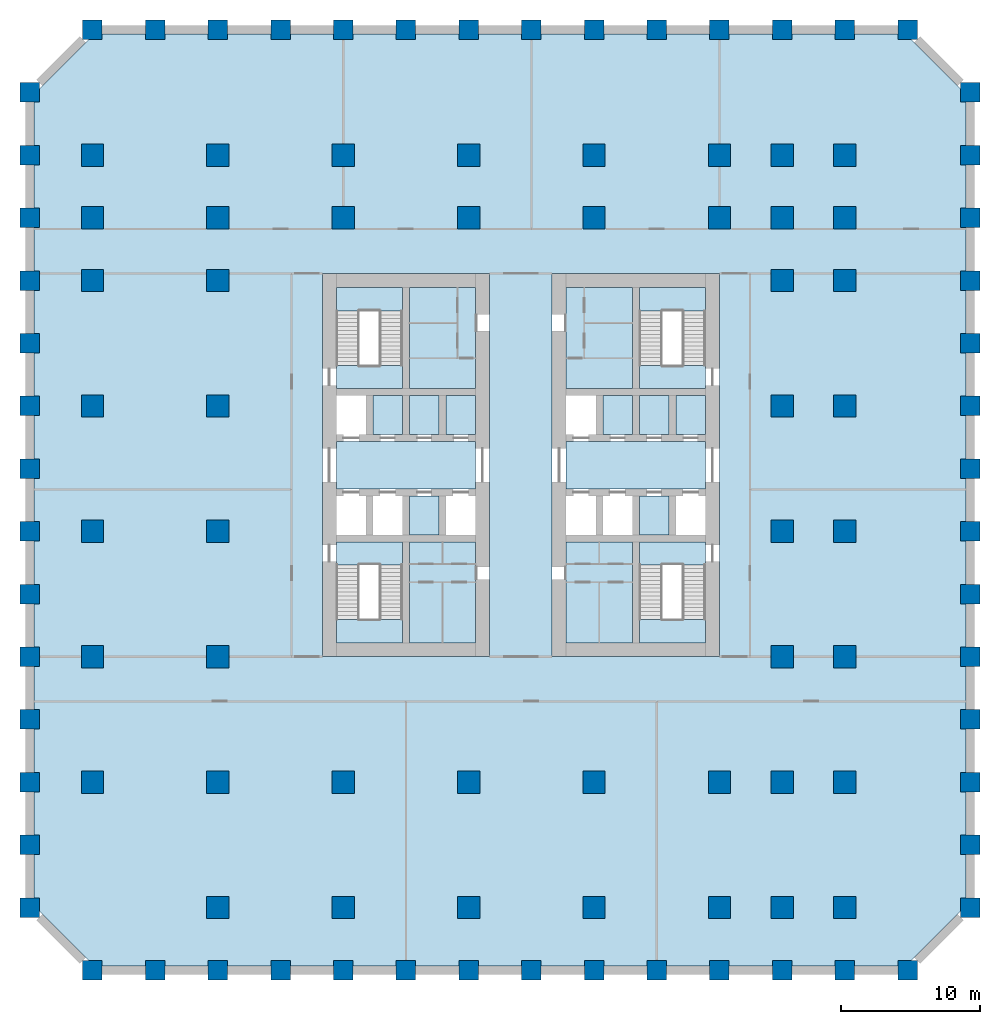
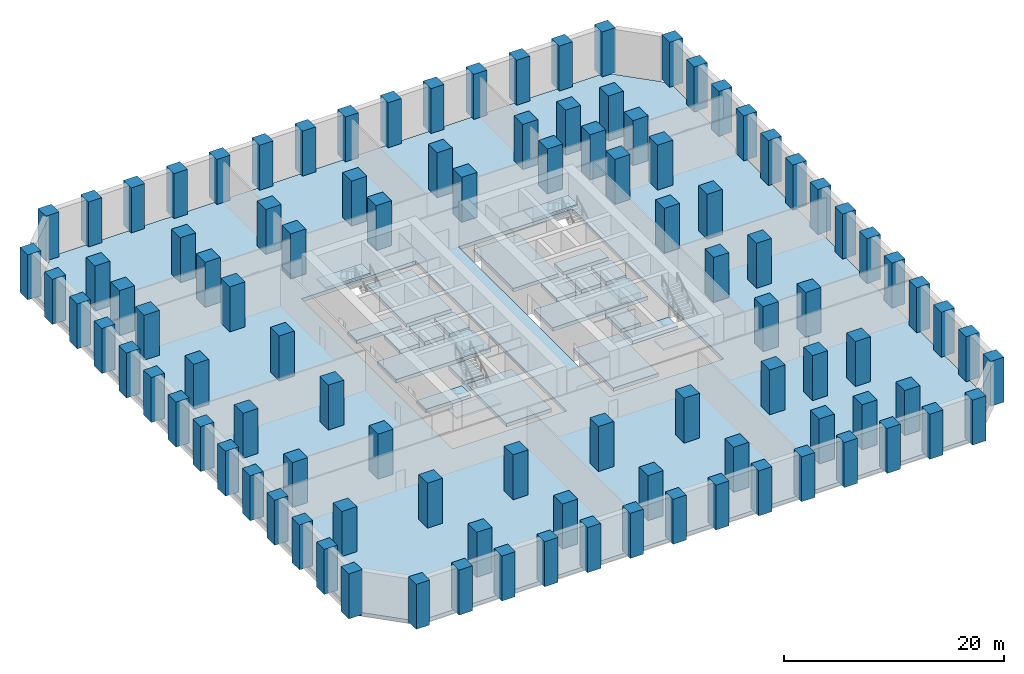
# One storey, part 1 of 7: 103 columns, 25 slabs, 4 elements without a shape of their own.
"""IFC4 building model written with IfcOpenShell, lengths in metres."""

from ifc_helpers import new_model, si_unit, direction, frame, origin, origin_2d, place, context, subcontext, project, spatial, polyline, rectangle, outline, extrude, material, layer, layer_set, material_profile, profile_set, type_object, element, aggregate, save


model = new_model("IFC4")

# Units and contexts
model_context = context("Model", 3, precision=1e-05, world=origin(), true_north=direction((0.0, 1.0)))
body_context = subcontext(model_context, "Body", "Model", "MODEL_VIEW")
ifc_project = project(units=[si_unit("LENGTHUNIT", "METRE"), si_unit("AREAUNIT", "SQUARE_METRE"), si_unit("VOLUMEUNIT", "CUBIC_METRE"), si_unit("PLANEANGLEUNIT", "RADIAN"), si_unit("MASSUNIT", "GRAM", prefix="KILO")], contexts=[model_context])

# Site, building, storey
site_placement = place(None, origin())
site = spatial("IfcSite", under=ifc_project, at=site_placement, CompositionType="ELEMENT")
building_placement = place(site_placement, origin())
building = spatial("IfcBuilding", under=site, at=building_placement, Name="Corbel Stack Research Tower", CompositionType="ELEMENT")
storey_placement = place(building_placement, frame((0.0, 0.0, -5.0)))
storey = spatial("IfcBuildingStorey", under=building, at=storey_placement, Name="B1", CompositionType="ELEMENT", Elevation=-5.0)

# Columns
ifc_material_1 = material(Name="Concrete C70/85", Category="concrete")
ifc_material_profile_1 = material_profile(ifc_material_1, rectangle(XDim=1.39990234375, YDim=1.39990234375, at=origin_2d()), Name="RC 1400 x 1400")
ifc_profile_set_1 = profile_set([ifc_material_profile_1], Name="Concrete C70/85")
column_type_1 = type_object("IfcColumnType", Name="C-1400-70", PredefinedType="COLUMN", material=ifc_profile_set_1)
for number, where, z_axis, x_axis, name in (
    (1, (-31.5, -27.0, 0.0), (0.0, 0.0, 1.0), (1.0, 0.0, 0.0), "Column 1/B B1"),
    (2, (-31.5, -22.5, 0.0), (0.0, 0.0, 1.0), (1.0, 0.0, 0.0), "Column 1/C B1"),
    (3, (-31.5, -18.0, 0.0), (0.0, 0.0, 1.0), (1.0, 0.0, 0.0), "Column 1/D B1"),
    (4, (-31.5, -13.5, 0.0), (0.0, 0.0, 1.0), (1.0, 0.0, 0.0), "Column 1/E B1"),
    (5, (-31.5, -9.0, 0.0), (0.0, 0.0, 1.0), (1.0, 0.0, 0.0), "Column 1/F B1"),
    (6, (-31.5, -4.5, 0.0), (0.0, 0.0, 1.0), (1.0, 0.0, 0.0), "Column 1/G B1"),
    (7, (-31.5, 0.0, 0.0), (0.0, 0.0, 1.0), (1.0, 0.0, 0.0), "Column 1/H B1"),
    (8, (-31.5, 4.5, 0.0), (0.0, 0.0, 1.0), (1.0, 0.0, 0.0), "Column 1/J B1"),
    (9, (-31.5, 9.0, 0.0), (0.0, 0.0, 1.0), (1.0, 0.0, 0.0), "Column 1/K B1"),
    (10, (-31.5, 13.5, 0.0), (0.0, 0.0, 1.0), (1.0, 0.0, 0.0), "Column 1/L B1"),
    (11, (-31.5, 18.0, 0.0), (0.0, 0.0, 1.0), (1.0, 0.0, 0.0), "Column 1/M B1"),
    (12, (-31.5, 22.5, 0.0), (0.0, 0.0, 1.0), (1.0, 0.0, 0.0), "Column 1/N B1"),
    (13, (-31.5, 27.0, 0.0), (0.0, 0.0, 1.0), (1.0, 0.0, 0.0), "Column 1/P B1"),
    (14, (-31.5, 31.5, 0.0), (0.0, 0.0, 1.0), (1.0, 0.0, 0.0), "Column 1/Q B1"),
    (15, (-27.0, -31.5, 0.0), (0.0, 0.0, 1.0), (1.0, 0.0, 0.0), "Column 2/A B1"),
    (16, (-27.0, 36.0, 0.0), (0.0, 0.0, 1.0), (1.0, 0.0, 0.0), "Column 2/R B1"),
    (17, (-22.5, -31.5, 0.0), (0.0, 0.0, 1.0), (1.0, 0.0, 0.0), "Column 3/A B1"),
    (18, (-22.5, 36.0, 0.0), (0.0, 0.0, 1.0), (1.0, 0.0, 0.0), "Column 3/R B1"),
    (19, (-18.0, -31.5, 0.0), (0.0, 0.0, 1.0), (1.0, 0.0, 0.0), "Column 4/A B1"),
    (20, (-18.0, 36.0, 0.0), (0.0, 0.0, 1.0), (1.0, 0.0, 0.0), "Column 4/R B1"),
    (21, (-13.5, -31.5, 0.0), (0.0, 0.0, 1.0), (1.0, 0.0, 0.0), "Column 5/A B1"),
    (22, (-13.5, 36.0, 0.0), (0.0, 0.0, 1.0), (1.0, 0.0, 0.0), "Column 5/R B1"),
    (23, (-9.0, -31.5, 0.0), (0.0, 0.0, 1.0), (1.0, 0.0, 0.0), "Column 6/A B1"),
    (24, (-9.0, 36.0, 0.0), (0.0, 0.0, 1.0), (1.0, 0.0, 0.0), "Column 6/R B1"),
    (25, (-4.5, -31.5, 0.0), (0.0, 0.0, 1.0), (1.0, 0.0, 0.0), "Column 7/A B1"),
    (26, (-4.5, 36.0, 0.0), (0.0, 0.0, 1.0), (1.0, 0.0, 0.0), "Column 7/R B1"),
    (27, (0.0, -31.5, 0.0), (0.0, 0.0, 1.0), (1.0, 0.0, 0.0), "Column 8/A B1"),
    (28, (0.0, 36.0, 0.0), (0.0, 0.0, 1.0), (1.0, 0.0, 0.0), "Column 8/R B1"),
    (29, (4.5, -31.5, 0.0), (0.0, 0.0, 1.0), (1.0, 0.0, 0.0), "Column 9/A B1"),
    (30, (4.5, 36.0, 0.0), (0.0, 0.0, 1.0), (1.0, 0.0, 0.0), "Column 9/R B1"),
    (31, (9.0, -31.5, 0.0), (0.0, 0.0, 1.0), (1.0, 0.0, 0.0), "Column 10/A B1"),
    (32, (9.0, 36.0, 0.0), (0.0, 0.0, 1.0), (1.0, 0.0, 0.0), "Column 10/R B1"),
    (33, (13.5, -31.5, 0.0), (0.0, 0.0, 1.0), (1.0, 0.0, 0.0), "Column 11/A B1"),
    (34, (13.5, 36.0, 0.0), (0.0, 0.0, 1.0), (1.0, 0.0, 0.0), "Column 11/R B1"),
    (35, (18.0, -31.5, 0.0), (0.0, 0.0, 1.0), (1.0, 0.0, 0.0), "Column 12/A B1"),
    (36, (18.0, 36.0, 0.0), (0.0, 0.0, 1.0), (1.0, 0.0, 0.0), "Column 12/R B1"),
    (37, (22.5, -31.5, 0.0), (0.0, 0.0, 1.0), (1.0, 0.0, 0.0), "Column 13/A B1"),
    (38, (22.5, 36.0, 0.0), (0.0, 0.0, 1.0), (1.0, 0.0, 0.0), "Column 13/R B1"),
    (39, (27.0, -31.5, 0.0), (0.0, 0.0, 1.0), (1.0, 0.0, 0.0), "Column 14/A B1"),
    (40, (27.0, 36.0, 0.0), (0.0, 0.0, 1.0), (1.0, 0.0, 0.0), "Column 14/R B1"),
    (41, (31.5, -31.5, 0.0), (0.0, 0.0, 1.0), (1.0, 0.0, 0.0), "Column 15/A B1"),
    (42, (31.5, 36.0, 0.0), (0.0, 0.0, 1.0), (1.0, 0.0, 0.0), "Column 15/R B1"),
    (43, (36.0, -27.0, 0.0), (0.0, 0.0, 1.0), (1.0, 0.0, 0.0), "Column 16/B B1"),
    (44, (36.0, -22.5, 0.0), (0.0, 0.0, 1.0), (1.0, 0.0, 0.0), "Column 16/C B1"),
    (45, (36.0, -18.0, 0.0), (0.0, 0.0, 1.0), (1.0, 0.0, 0.0), "Column 16/D B1"),
    (46, (36.0, -13.5, 0.0), (0.0, 0.0, 1.0), (1.0, 0.0, 0.0), "Column 16/E B1"),
    (47, (36.0, -9.0, 0.0), (0.0, 0.0, 1.0), (1.0, 0.0, 0.0), "Column 16/F B1"),
    (48, (36.0, -4.5, 0.0), (0.0, 0.0, 1.0), (1.0, 0.0, 0.0), "Column 16/G B1"),
    (49, (36.0, 0.0, 0.0), (0.0, 0.0, 1.0), (1.0, 0.0, 0.0), "Column 16/H B1"),
    (50, (36.0, 4.5, 0.0), (0.0, 0.0, 1.0), (1.0, 0.0, 0.0), "Column 16/J B1"),
    (51, (36.0, 9.0, 0.0), (0.0, 0.0, 1.0), (1.0, 0.0, 0.0), "Column 16/K B1"),
    (52, (36.0, 13.5, 0.0), (0.0, 0.0, 1.0), (1.0, 0.0, 0.0), "Column 16/L B1"),
    (53, (36.0, 18.0, 0.0), (0.0, 0.0, 1.0), (1.0, 0.0, 0.0), "Column 16/M B1"),
    (54, (36.0, 22.5, 0.0), (0.0, 0.0, 1.0), (1.0, 0.0, 0.0), "Column 16/N B1"),
    (55, (36.0, 27.0, 0.0), (0.0, 0.0, 1.0), (1.0, 0.0, 0.0), "Column 16/P B1"),
    (56, (36.0, 31.5, 0.0), (0.0, 0.0, 1.0), (1.0, 0.0, 0.0), "Column 16/Q B1"),
):
    element("IfcColumn", number, at=place(storey_placement, frame(where, z_axis=z_axis, x_axis=x_axis)), inside=storey, type_object=column_type_1, Name=name, PredefinedType="COLUMN", context=body_context, shape_type="SweptSolid", body=[
        extrude(rectangle(XDim=1.39990234375, YDim=1.39990234375, at=origin_2d()), origin(), (0.0, 0.0, 1.0), 5.0),
    ])
ifc_material_2 = material(Name="Concrete C70/85", Category="concrete")
ifc_material_profile_2 = material_profile(ifc_material_2, rectangle(XDim=1.60009765625, YDim=1.60009765625, at=origin_2d()), Name="RC 1600 x 1600")
ifc_profile_set_2 = profile_set([ifc_material_profile_2], Name="Concrete C70/85")
column_type_2 = type_object("IfcColumnType", Name="C-1600-70", PredefinedType="COLUMN", material=ifc_profile_set_2)
for number, where, z_axis, x_axis, name in (
    (57, (-27.0, -18.0, 0.0), (0.0, 0.0, 1.0), (1.0, 0.0, 0.0), "Column 2/D B1"),
    (58, (-27.0, -9.0, 0.0), (0.0, 0.0, 1.0), (1.0, 0.0, 0.0), "Column 2/F B1"),
    (59, (-27.0, 0.0, 0.0), (0.0, 0.0, 1.0), (1.0, 0.0, 0.0), "Column 2/H B1"),
    (60, (-27.0, 9.0, 0.0), (0.0, 0.0, 1.0), (1.0, 0.0, 0.0), "Column 2/K B1"),
    (61, (-27.0, 18.0, 0.0), (0.0, 0.0, 1.0), (1.0, 0.0, 0.0), "Column 2/M B1"),
    (62, (-27.0, 22.5, 0.0), (0.0, 0.0, 1.0), (1.0, 0.0, 0.0), "Column 2/N B1"),
    (63, (-27.0, 27.0, 0.0), (0.0, 0.0, 1.0), (1.0, 0.0, 0.0), "Column 2/P B1"),
    (64, (-18.0, -27.0, 0.0), (0.0, 0.0, 1.0), (1.0, 0.0, 0.0), "Column 4/B B1"),
    (65, (-18.0, -18.0, 0.0), (0.0, 0.0, 1.0), (1.0, 0.0, 0.0), "Column 4/D B1"),
    (66, (-18.0, -9.0, 0.0), (0.0, 0.0, 1.0), (1.0, 0.0, 0.0), "Column 4/F B1"),
    (67, (-18.0, 0.0, 0.0), (0.0, 0.0, 1.0), (1.0, 0.0, 0.0), "Column 4/H B1"),
    (68, (-18.0, 9.0, 0.0), (0.0, 0.0, 1.0), (1.0, 0.0, 0.0), "Column 4/K B1"),
    (69, (-18.0, 18.0, 0.0), (0.0, 0.0, 1.0), (1.0, 0.0, 0.0), "Column 4/M B1"),
    (70, (-18.0, 22.5, 0.0), (0.0, 0.0, 1.0), (1.0, 0.0, 0.0), "Column 4/N B1"),
    (71, (-18.0, 27.0, 0.0), (0.0, 0.0, 1.0), (1.0, 0.0, 0.0), "Column 4/P B1"),
    (72, (-9.0, -27.0, 0.0), (0.0, 0.0, 1.0), (1.0, 0.0, 0.0), "Column 6/B B1"),
    (73, (-9.0, -18.0, 0.0), (0.0, 0.0, 1.0), (1.0, 0.0, 0.0), "Column 6/D B1"),
    (74, (-9.0, 22.5, 0.0), (0.0, 0.0, 1.0), (1.0, 0.0, 0.0), "Column 6/N B1"),
    (75, (-9.0, 27.0, 0.0), (0.0, 0.0, 1.0), (1.0, 0.0, 0.0), "Column 6/P B1"),
    (76, (0.0, -27.0, 0.0), (0.0, 0.0, 1.0), (1.0, 0.0, 0.0), "Column 8/B B1"),
    (77, (0.0, -18.0, 0.0), (0.0, 0.0, 1.0), (1.0, 0.0, 0.0), "Column 8/D B1"),
    (78, (0.0, 22.5, 0.0), (0.0, 0.0, 1.0), (1.0, 0.0, 0.0), "Column 8/N B1"),
    (79, (0.0, 27.0, 0.0), (0.0, 0.0, 1.0), (1.0, 0.0, 0.0), "Column 8/P B1"),
    (80, (9.0, -27.0, 0.0), (0.0, 0.0, 1.0), (1.0, 0.0, 0.0), "Column 10/B B1"),
    (81, (9.0, -18.0, 0.0), (0.0, 0.0, 1.0), (1.0, 0.0, 0.0), "Column 10/D B1"),
    (82, (9.0, 22.5, 0.0), (0.0, 0.0, 1.0), (1.0, 0.0, 0.0), "Column 10/N B1"),
    (83, (9.0, 27.0, 0.0), (0.0, 0.0, 1.0), (1.0, 0.0, 0.0), "Column 10/P B1"),
    (84, (18.0, -27.0, 0.0), (0.0, 0.0, 1.0), (1.0, 0.0, 0.0), "Column 12/B B1"),
    (85, (18.0, -18.0, 0.0), (0.0, 0.0, 1.0), (1.0, 0.0, 0.0), "Column 12/D B1"),
    (86, (18.0, 22.5, 0.0), (0.0, 0.0, 1.0), (1.0, 0.0, 0.0), "Column 12/N B1"),
    (87, (18.0, 27.0, 0.0), (0.0, 0.0, 1.0), (1.0, 0.0, 0.0), "Column 12/P B1"),
    (88, (22.5, -27.0, 0.0), (0.0, 0.0, 1.0), (1.0, 0.0, 0.0), "Column 13/B B1"),
    (89, (22.5, -18.0, 0.0), (0.0, 0.0, 1.0), (1.0, 0.0, 0.0), "Column 13/D B1"),
    (90, (22.5, -9.0, 0.0), (0.0, 0.0, 1.0), (1.0, 0.0, 0.0), "Column 13/F B1"),
    (91, (22.5, 0.0, 0.0), (0.0, 0.0, 1.0), (1.0, 0.0, 0.0), "Column 13/H B1"),
    (92, (22.5, 9.0, 0.0), (0.0, 0.0, 1.0), (1.0, 0.0, 0.0), "Column 13/K B1"),
    (93, (22.5, 18.0, 0.0), (0.0, 0.0, 1.0), (1.0, 0.0, 0.0), "Column 13/M B1"),
    (94, (22.5, 22.5, 0.0), (0.0, 0.0, 1.0), (1.0, 0.0, 0.0), "Column 13/N B1"),
    (95, (22.5, 27.0, 0.0), (0.0, 0.0, 1.0), (1.0, 0.0, 0.0), "Column 13/P B1"),
    (96, (27.0, -27.0, 0.0), (0.0, 0.0, 1.0), (1.0, 0.0, 0.0), "Column 14/B B1"),
    (97, (27.0, -18.0, 0.0), (0.0, 0.0, 1.0), (1.0, 0.0, 0.0), "Column 14/D B1"),
    (98, (27.0, -9.0, 0.0), (0.0, 0.0, 1.0), (1.0, 0.0, 0.0), "Column 14/F B1"),
    (99, (27.0, 0.0, 0.0), (0.0, 0.0, 1.0), (1.0, 0.0, 0.0), "Column 14/H B1"),
    (100, (27.0, 9.0, 0.0), (0.0, 0.0, 1.0), (1.0, 0.0, 0.0), "Column 14/K B1"),
    (101, (27.0, 18.0, 0.0), (0.0, 0.0, 1.0), (1.0, 0.0, 0.0), "Column 14/M B1"),
    (102, (27.0, 22.5, 0.0), (0.0, 0.0, 1.0), (1.0, 0.0, 0.0), "Column 14/N B1"),
    (103, (27.0, 27.0, 0.0), (0.0, 0.0, 1.0), (1.0, 0.0, 0.0), "Column 14/P B1"),
):
    element("IfcColumn", number, at=place(storey_placement, frame(where, z_axis=z_axis, x_axis=x_axis)), inside=storey, type_object=column_type_2, Name=name, PredefinedType="COLUMN", context=body_context, shape_type="SweptSolid", body=[
        extrude(rectangle(XDim=1.60009765625, YDim=1.60009765625, at=origin_2d()), origin(), (0.0, 0.0, 1.0), 5.0),
    ])

# Slabs
ifc_material_3 = material(Name="Concrete C45/55", Category="concrete")
ifc_layer_1 = layer(ifc_material_3, 0.60009765625)
ifc_layer_set_1 = layer_set([ifc_layer_1], Name="Concrete C45/55")
slab_type_1 = type_object("IfcSlabType", Name="PS-600", PredefinedType="FLOOR", material=ifc_layer_set_1)
slab_1_placement = place(storey_placement, frame((0.0, 0.0, 2.800048828125)))
element("IfcSlab", 104, at=slab_1_placement, inside=storey, type_object=slab_type_1, Name="Lift pit slab SH1", PredefinedType="FLOOR", context=body_context, shape_type="SweptSolid", body=[
    extrude(outline(polyline([(-4.25, 2.550048828125), (-4.25, -0.25), (-2.125, -0.25), (-2.125, 2.550048828125), (-4.25, 2.550048828125)])), origin(), (0.0, 0.0, 1.0), 0.599853515625),
])
slab_2_placement = place(storey_placement, frame((0.0, 0.0, 2.800048828125)))
element("IfcSlab", 105, at=slab_2_placement, inside=storey, type_object=slab_type_1, Name="Lift pit slab SH2", PredefinedType="FLOOR", context=body_context, shape_type="SweptSolid", body=[
    extrude(outline(polyline([(12.25, 2.550048828125), (12.25, -0.25), (14.375, -0.25), (14.375, 2.550048828125), (12.25, 2.550048828125)])), origin(), (0.0, 0.0, 1.0), 0.599853515625),
])
ifc_material_4 = material(Name="Concrete C45/55", Category="concrete")
ifc_layer_2 = layer(ifc_material_4, 0.39990234375)
ifc_layer_set_2 = layer_set([ifc_layer_2], Name="Concrete C45/55")
slab_type_2 = type_object("IfcSlabType", Name="PT-400", PredefinedType="FLOOR", material=ifc_layer_set_2)
slab_3_placement = place(storey_placement, frame((0.0, 0.0, -0.39990234375)))
element("IfcSlab", 106, at=slab_3_placement, inside=storey, type_object=slab_type_2, Name="Floor slab B1", PredefinedType="FLOOR", context=body_context, shape_type="SweptSolid", body=[
    extrude(outline(polyline([(-26.875732421875, -31.199951171875), (31.375732421875, -31.199951171875), (35.699951171875, -26.875732421875), (35.699951171875, 31.375732421875), (31.375732421875, 35.699951171875), (-26.875732421875, 35.699951171875), (-31.199951171875, 31.375732421875), (-31.199951171875, -26.875732421875), (-26.875732421875, -31.199951171875)]), holes=[polyline([(26.199951171875, 8.199951171875), (26.199951171875, 9.800048828125), (27.800048828125, 9.800048828125), (27.800048828125, 8.199951171875), (26.199951171875, 8.199951171875)]), polyline([(26.199951171875, -26.199951171875), (27.800048828125, -26.199951171875), (27.800048828125, -27.800048828125), (26.199951171875, -27.800048828125), (26.199951171875, -26.199951171875)]), polyline([(26.199951171875, -8.199951171875), (27.800048828125, -8.199951171875), (27.800048828125, -9.800048828125), (26.199951171875, -9.800048828125), (26.199951171875, -8.199951171875)]), polyline([(26.199951171875, 0.800048828125), (27.800048828125, 0.800048828125), (27.800048828125, -0.800048828125), (26.199951171875, -0.800048828125), (26.199951171875, 0.800048828125)]), polyline([(26.199951171875, 23.300048828125), (27.800048828125, 23.300048828125), (27.800048828125, 21.699951171875), (26.199951171875, 21.699951171875), (26.199951171875, 23.300048828125)]), polyline([(26.199951171875, 27.800048828125), (27.800048828125, 27.800048828125), (27.800048828125, 26.199951171875), (26.199951171875, 26.199951171875), (26.199951171875, 27.800048828125)]), polyline([(26.199951171875, -18.800048828125), (26.199951171875, -17.199951171875), (27.800048828125, -17.199951171875), (27.800048828125, -18.800048828125), (26.199951171875, -18.800048828125)]), polyline([(26.199951171875, 18.800048828125), (27.800048828125, 18.800048828125), (27.800048828125, 17.199951171875), (26.199951171875, 17.199951171875), (26.199951171875, 18.800048828125)]), polyline([(21.699951171875, 9.800048828125), (23.300048828125, 9.800048828125), (23.300048828125, 8.199951171875), (21.699951171875, 8.199951171875), (21.699951171875, 9.800048828125)]), polyline([(21.699951171875, -26.199951171875), (23.300048828125, -26.199951171875), (23.300048828125, -27.800048828125), (21.699951171875, -27.800048828125), (21.699951171875, -26.199951171875)]), polyline([(21.699951171875, -17.199951171875), (23.300048828125, -17.199951171875), (23.300048828125, -18.800048828125), (21.699951171875, -18.800048828125), (21.699951171875, -17.199951171875)]), polyline([(21.699951171875, -8.199951171875), (23.300048828125, -8.199951171875), (23.300048828125, -9.800048828125), (21.699951171875, -9.800048828125), (21.699951171875, -8.199951171875)]), polyline([(21.699951171875, 18.800048828125), (23.300048828125, 18.800048828125), (23.300048828125, 17.199951171875), (21.699951171875, 17.199951171875), (21.699951171875, 18.800048828125)]), polyline([(21.699951171875, 23.300048828125), (23.300048828125, 23.300048828125), (23.300048828125, 21.699951171875), (21.699951171875, 21.699951171875), (21.699951171875, 23.300048828125)]), polyline([(21.699951171875, 27.800048828125), (23.300048828125, 27.800048828125), (23.300048828125, 26.199951171875), (21.699951171875, 26.199951171875), (21.699951171875, 27.800048828125)]), polyline([(21.699951171875, -0.800048828125), (21.699951171875, 0.800048828125), (23.300048828125, 0.800048828125), (23.300048828125, -0.800048828125), (21.699951171875, -0.800048828125)]), polyline([(17.199951171875, 21.699951171875), (17.199951171875, 23.300048828125), (18.800048828125, 23.300048828125), (18.800048828125, 21.699951171875), (17.199951171875, 21.699951171875)]), polyline([(17.199951171875, 27.800048828125), (18.800048828125, 27.800048828125), (18.800048828125, 26.199951171875), (17.199951171875, 26.199951171875), (17.199951171875, 27.800048828125)]), polyline([(17.199951171875, -17.199951171875), (18.800048828125, -17.199951171875), (18.800048828125, -18.800048828125), (17.199951171875, -18.800048828125), (17.199951171875, -17.199951171875)]), polyline([(17.199951171875, -26.199951171875), (18.800048828125, -26.199951171875), (18.800048828125, -27.800048828125), (17.199951171875, -27.800048828125), (17.199951171875, -26.199951171875)]), polyline([(6.0, 18.5), (18.0, 18.5), (18.0, -9.0), (6.0, -9.0), (6.0, 18.5)]), polyline([(8.199951171875, -26.199951171875), (9.800048828125, -26.199951171875), (9.800048828125, -27.800048828125), (8.199951171875, -27.800048828125), (8.199951171875, -26.199951171875)]), polyline([(8.199951171875, -17.199951171875), (9.800048828125, -17.199951171875), (9.800048828125, -18.800048828125), (8.199951171875, -18.800048828125), (8.199951171875, -17.199951171875)]), polyline([(8.199951171875, 23.300048828125), (9.800048828125, 23.300048828125), (9.800048828125, 21.699951171875), (8.199951171875, 21.699951171875), (8.199951171875, 23.300048828125)]), polyline([(8.199951171875, 26.199951171875), (8.199951171875, 27.800048828125), (9.800048828125, 27.800048828125), (9.800048828125, 26.199951171875), (8.199951171875, 26.199951171875)]), polyline([(-10.5, -9.0), (-10.5, 18.5), (1.5, 18.5), (1.5, -9.0), (-10.5, -9.0)]), polyline([(-0.800048828125, -18.800048828125), (-0.800048828125, -17.199951171875), (0.800048828125, -17.199951171875), (0.800048828125, -18.800048828125), (-0.800048828125, -18.800048828125)]), polyline([(-0.800048828125, -27.800048828125), (-0.800048828125, -26.199951171875), (0.800048828125, -26.199951171875), (0.800048828125, -27.800048828125), (-0.800048828125, -27.800048828125)]), polyline([(-0.800048828125, 23.300048828125), (0.800048828125, 23.300048828125), (0.800048828125, 21.699951171875), (-0.800048828125, 21.699951171875), (-0.800048828125, 23.300048828125)]), polyline([(-0.800048828125, 27.800048828125), (0.800048828125, 27.800048828125), (0.800048828125, 26.199951171875), (-0.800048828125, 26.199951171875), (-0.800048828125, 27.800048828125)]), polyline([(-9.800048828125, 26.199951171875), (-9.800048828125, 27.800048828125), (-8.199951171875, 27.800048828125), (-8.199951171875, 26.199951171875), (-9.800048828125, 26.199951171875)]), polyline([(-9.800048828125, -27.800048828125), (-9.800048828125, -26.199951171875), (-8.199951171875, -26.199951171875), (-8.199951171875, -27.800048828125), (-9.800048828125, -27.800048828125)]), polyline([(-9.800048828125, 23.300048828125), (-8.199951171875, 23.300048828125), (-8.199951171875, 21.699951171875), (-9.800048828125, 21.699951171875), (-9.800048828125, 23.300048828125)]), polyline([(-9.800048828125, -17.199951171875), (-8.199951171875, -17.199951171875), (-8.199951171875, -18.800048828125), (-9.800048828125, -18.800048828125), (-9.800048828125, -17.199951171875)]), polyline([(-18.800048828125, -26.199951171875), (-17.199951171875, -26.199951171875), (-17.199951171875, -27.800048828125), (-18.800048828125, -27.800048828125), (-18.800048828125, -26.199951171875)]), polyline([(-18.800048828125, 8.199951171875), (-18.800048828125, 9.800048828125), (-17.199951171875, 9.800048828125), (-17.199951171875, 8.199951171875), (-18.800048828125, 8.199951171875)]), polyline([(-18.800048828125, 0.800048828125), (-17.199951171875, 0.800048828125), (-17.199951171875, -0.800048828125), (-18.800048828125, -0.800048828125), (-18.800048828125, 0.800048828125)]), polyline([(-18.800048828125, 18.800048828125), (-17.199951171875, 18.800048828125), (-17.199951171875, 17.199951171875), (-18.800048828125, 17.199951171875), (-18.800048828125, 18.800048828125)]), polyline([(-18.800048828125, 23.300048828125), (-17.199951171875, 23.300048828125), (-17.199951171875, 21.699951171875), (-18.800048828125, 21.699951171875), (-18.800048828125, 23.300048828125)]), polyline([(-18.800048828125, -18.800048828125), (-18.800048828125, -17.199951171875), (-17.199951171875, -17.199951171875), (-17.199951171875, -18.800048828125), (-18.800048828125, -18.800048828125)]), polyline([(-18.800048828125, -9.800048828125), (-18.800048828125, -8.199951171875), (-17.199951171875, -8.199951171875), (-17.199951171875, -9.800048828125), (-18.800048828125, -9.800048828125)]), polyline([(-18.800048828125, 26.199951171875), (-18.800048828125, 27.800048828125), (-17.199951171875, 27.800048828125), (-17.199951171875, 26.199951171875), (-18.800048828125, 26.199951171875)]), polyline([(-27.800048828125, 17.199951171875), (-27.800048828125, 18.800048828125), (-26.199951171875, 18.800048828125), (-26.199951171875, 17.199951171875), (-27.800048828125, 17.199951171875)]), polyline([(-27.800048828125, 27.800048828125), (-26.199951171875, 27.800048828125), (-26.199951171875, 26.199951171875), (-27.800048828125, 26.199951171875), (-27.800048828125, 27.800048828125)]), polyline([(-27.800048828125, 23.300048828125), (-26.199951171875, 23.300048828125), (-26.199951171875, 21.699951171875), (-27.800048828125, 21.699951171875), (-27.800048828125, 23.300048828125)]), polyline([(-27.800048828125, 9.800048828125), (-26.199951171875, 9.800048828125), (-26.199951171875, 8.199951171875), (-27.800048828125, 8.199951171875), (-27.800048828125, 9.800048828125)]), polyline([(-27.800048828125, 0.800048828125), (-26.199951171875, 0.800048828125), (-26.199951171875, -0.800048828125), (-27.800048828125, -0.800048828125), (-27.800048828125, 0.800048828125)]), polyline([(-27.800048828125, -8.199951171875), (-26.199951171875, -8.199951171875), (-26.199951171875, -9.800048828125), (-27.800048828125, -9.800048828125), (-27.800048828125, -8.199951171875)]), polyline([(-27.800048828125, -17.199951171875), (-26.199951171875, -17.199951171875), (-26.199951171875, -18.800048828125), (-27.800048828125, -18.800048828125), (-27.800048828125, -17.199951171875)])]), origin(), (0.0, 0.0, 1.0), 0.39990234375),
])
slab_4_placement = place(storey_placement, frame((0.0, 0.0, -0.39990234375)))
element("IfcSlab", 107, at=slab_4_placement, inside=storey, type_object=slab_type_2, Name="West core floor B1", PredefinedType="FLOOR", context=body_context, shape_type="SweptSolid", body=[
    extrude(outline(polyline([(-9.5, 6.449951171875), (-9.5, 3.050048828125), (0.5, 3.050048828125), (0.5, 6.449951171875), (-9.5, 6.449951171875)])), origin(), (0.0, 0.0, 1.0), 0.39990234375),
])
slab_5_placement = place(storey_placement, frame((0.0, 0.0, -0.39990234375)))
element("IfcSlab", 108, at=slab_5_placement, inside=storey, type_object=slab_type_2, Name="West core floor B1", PredefinedType="FLOOR", context=body_context, shape_type="SweptSolid", body=[
    extrude(outline(polyline([(-6.875, 6.949951171875), (-4.75, 6.949951171875), (-4.75, 9.75), (-6.875, 9.75), (-6.875, 6.949951171875)])), origin(), (0.0, 0.0, 1.0), 0.39990234375),
])
slab_6_placement = place(storey_placement, frame((0.0, 0.0, -0.39990234375)))
element("IfcSlab", 109, at=slab_6_placement, inside=storey, type_object=slab_type_2, Name="West core floor B1", PredefinedType="FLOOR", context=body_context, shape_type="SweptSolid", body=[
    extrude(outline(polyline([(-4.25, -0.75), (-4.25, -8.0), (0.5, -8.0), (0.5, -0.75), (-4.25, -0.75)])), origin(), (0.0, 0.0, 1.0), 0.39990234375),
])
slab_7_placement = place(storey_placement, frame((0.0, 0.0, -0.39990234375)))
element("IfcSlab", 110, at=slab_7_placement, inside=storey, type_object=slab_type_2, Name="West core floor B1", PredefinedType="FLOOR", context=body_context, shape_type="SweptSolid", body=[
    extrude(outline(polyline([(-4.25, 2.550048828125), (-4.25, -0.25), (-2.125, -0.25), (-2.125, 2.550048828125), (-4.25, 2.550048828125)])), origin(), (0.0, 0.0, 1.0), 0.39990234375),
])
slab_8_placement = place(storey_placement, frame((0.0, 0.0, -0.39990234375)))
element("IfcSlab", 111, at=slab_8_placement, inside=storey, type_object=slab_type_2, Name="West core floor B1", PredefinedType="FLOOR", context=body_context, shape_type="SweptSolid", body=[
    extrude(outline(polyline([(-2.125, 6.949951171875), (-2.125, 9.75), (-4.25, 9.75), (-4.25, 6.949951171875), (-2.125, 6.949951171875)])), origin(), (0.0, 0.0, 1.0), 0.39990234375),
])
slab_9_placement = place(storey_placement, frame((0.0, 0.0, -0.39990234375)))
element("IfcSlab", 112, at=slab_9_placement, inside=storey, type_object=slab_type_2, Name="West core floor B1", PredefinedType="FLOOR", context=body_context, shape_type="SweptSolid", body=[
    extrude(outline(polyline([(-4.25, 17.5), (-4.25, 10.25), (0.5, 10.25), (0.5, 17.5), (-4.25, 17.5)])), origin(), (0.0, 0.0, 1.0), 0.39990234375),
])
slab_10_placement = place(storey_placement, frame((0.0, 0.0, -0.39990234375)))
element("IfcSlab", 113, at=slab_10_placement, inside=storey, type_object=slab_type_2, Name="West core floor B1", PredefinedType="FLOOR", context=body_context, shape_type="SweptSolid", body=[
    extrude(outline(polyline([(0.5, 6.949951171875), (0.5, 9.75), (-1.625, 9.75), (-1.625, 6.949951171875), (0.5, 6.949951171875)])), origin(), (0.0, 0.0, 1.0), 0.39990234375),
])
slab_11_placement = place(storey_placement, frame((0.0, 0.0, -0.39990234375)))
element("IfcSlab", 114, at=slab_11_placement, inside=storey, type_object=slab_type_2, Name="East core floor B1", PredefinedType="FLOOR", context=body_context, shape_type="SweptSolid", body=[
    extrude(outline(polyline([(7.0, -0.75), (7.0, -8.0), (11.75, -8.0), (11.75, -0.75), (7.0, -0.75)])), origin(), (0.0, 0.0, 1.0), 0.39990234375),
])
slab_12_placement = place(storey_placement, frame((0.0, 0.0, -0.39990234375)))
element("IfcSlab", 115, at=slab_12_placement, inside=storey, type_object=slab_type_2, Name="East core floor B1", PredefinedType="FLOOR", context=body_context, shape_type="SweptSolid", body=[
    extrude(outline(polyline([(7.0, 6.449951171875), (7.0, 3.050048828125), (17.0, 3.050048828125), (17.0, 6.449951171875), (7.0, 6.449951171875)])), origin(), (0.0, 0.0, 1.0), 0.39990234375),
])
slab_13_placement = place(storey_placement, frame((0.0, 0.0, -0.39990234375)))
element("IfcSlab", 116, at=slab_13_placement, inside=storey, type_object=slab_type_2, Name="East core floor B1", PredefinedType="FLOOR", context=body_context, shape_type="SweptSolid", body=[
    extrude(outline(polyline([(7.0, 17.5), (7.0, 10.25), (11.75, 10.25), (11.75, 17.5), (7.0, 17.5)])), origin(), (0.0, 0.0, 1.0), 0.39990234375),
])
slab_14_placement = place(storey_placement, frame((0.0, 0.0, -0.39990234375)))
element("IfcSlab", 117, at=slab_14_placement, inside=storey, type_object=slab_type_2, Name="East core floor B1", PredefinedType="FLOOR", context=body_context, shape_type="SweptSolid", body=[
    extrude(outline(polyline([(9.625, 6.949951171875), (11.75, 6.949951171875), (11.75, 9.75), (9.625, 9.75), (9.625, 6.949951171875)])), origin(), (0.0, 0.0, 1.0), 0.39990234375),
])
slab_15_placement = place(storey_placement, frame((0.0, 0.0, -0.39990234375)))
element("IfcSlab", 118, at=slab_15_placement, inside=storey, type_object=slab_type_2, Name="East core floor B1", PredefinedType="FLOOR", context=body_context, shape_type="SweptSolid", body=[
    extrude(outline(polyline([(12.25, 2.550048828125), (12.25, -0.25), (14.375, -0.25), (14.375, 2.550048828125), (12.25, 2.550048828125)])), origin(), (0.0, 0.0, 1.0), 0.39990234375),
])
slab_16_placement = place(storey_placement, frame((0.0, 0.0, -0.39990234375)))
element("IfcSlab", 119, at=slab_16_placement, inside=storey, type_object=slab_type_2, Name="East core floor B1", PredefinedType="FLOOR", context=body_context, shape_type="SweptSolid", body=[
    extrude(outline(polyline([(14.375, 6.949951171875), (14.375, 9.75), (12.25, 9.75), (12.25, 6.949951171875), (14.375, 6.949951171875)])), origin(), (0.0, 0.0, 1.0), 0.39990234375),
])
slab_17_placement = place(storey_placement, frame((0.0, 0.0, -0.39990234375)))
element("IfcSlab", 120, at=slab_17_placement, inside=storey, type_object=slab_type_2, Name="East core floor B1", PredefinedType="FLOOR", context=body_context, shape_type="SweptSolid", body=[
    extrude(outline(polyline([(17.0, 6.949951171875), (17.0, 9.75), (14.875, 9.75), (14.875, 6.949951171875), (17.0, 6.949951171875)])), origin(), (0.0, 0.0, 1.0), 0.39990234375),
])
slab_18_placement = place(storey_placement, frame((0.0, 0.0, -0.39990234375)))
element("IfcSlab", 121, at=slab_18_placement, inside=storey, type_object=slab_type_2, Name="Stair floor landing ST-W1", PredefinedType="FLOOR", context=body_context, shape_type="SweptSolid", body=[
    extrude(outline(polyline([(-9.5, -2.39990234375), (-4.75, -2.39990234375), (-4.75, -0.75), (-9.5, -0.75), (-9.5, -2.39990234375)])), origin(), (0.0, 0.0, 1.0), 0.39990234375),
])
slab_19_placement = place(storey_placement, frame((0.0, 0.0, -0.39990234375)))
element("IfcSlab", 122, at=slab_19_placement, inside=storey, type_object=slab_type_2, Name="Stair floor landing ST-W2", PredefinedType="FLOOR", context=body_context, shape_type="SweptSolid", body=[
    extrude(outline(polyline([(-9.5, 10.25), (-4.75, 10.25), (-4.75, 11.89990234375), (-9.5, 11.89990234375), (-9.5, 10.25)])), origin(), (0.0, 0.0, 1.0), 0.39990234375),
])
slab_20_placement = place(storey_placement, frame((0.0, 0.0, -0.39990234375)))
element("IfcSlab", 123, at=slab_20_placement, inside=storey, type_object=slab_type_2, Name="Stair floor landing ST-E1", PredefinedType="FLOOR", context=body_context, shape_type="SweptSolid", body=[
    extrude(outline(polyline([(12.25, -2.39990234375), (17.0, -2.39990234375), (17.0, -0.75), (12.25, -0.75), (12.25, -2.39990234375)])), origin(), (0.0, 0.0, 1.0), 0.39990234375),
])
slab_21_placement = place(storey_placement, frame((0.0, 0.0, -0.39990234375)))
element("IfcSlab", 124, at=slab_21_placement, inside=storey, type_object=slab_type_2, Name="Stair floor landing ST-E2", PredefinedType="FLOOR", context=body_context, shape_type="SweptSolid", body=[
    extrude(outline(polyline([(12.25, 10.25), (17.0, 10.25), (17.0, 11.89990234375), (12.25, 11.89990234375), (12.25, 10.25)])), origin(), (0.0, 0.0, 1.0), 0.39990234375),
])

# Stair, slab
ifc_material_5 = material(Name="Concrete C40/50", Category="concrete")
stair_type = type_object("IfcStairType", Name="Exit stair 30 risers", PredefinedType="HALF_TURN_STAIR", material=ifc_material_5)
stair_1_placement = place(storey_placement, origin())
stair_1 = element("IfcStair", 125, at=stair_1_placement, inside=storey, type_object=stair_type, Name="B1 Exit stair ST-W1", PredefinedType="HALF_TURN_STAIR")
ifc_material_6 = material(Name="Concrete C40/50", Category="concrete")
ifc_layer_3 = layer(ifc_material_6, 0.199951171875)
ifc_layer_set_3 = layer_set([ifc_layer_3], Name="Concrete C40/50")
slab_type_3 = type_object("IfcSlabType", Name="Stair landing 200 C40/50", PredefinedType="LANDING", material=ifc_layer_set_3)
slab_22_placement = place(storey_placement, frame((0.0, 0.0, 2.300048828125)))
slab_22 = element("IfcSlab", 126, at=slab_22_placement, type_object=slab_type_3, Name="ST-W1 landing 1", PredefinedType="LANDING", context=body_context, shape_type="SweptSolid", body=[
    extrude(outline(polyline([(-9.5, -8.0), (-9.5, -6.320068359375), (-4.75, -6.320068359375), (-4.75, -8.0), (-9.5, -8.0)])), origin(), (0.0, 0.0, 1.0), 0.199951171875),
])
aggregate(stair_1, [slab_22])

stair_2_placement = place(storey_placement, origin())
stair_2 = element("IfcStair", 127, at=stair_2_placement, inside=storey, type_object=stair_type, Name="B1 Exit stair ST-W2", PredefinedType="HALF_TURN_STAIR")
slab_23_placement = place(storey_placement, frame((0.0, 0.0, 2.300048828125)))
slab_23 = element("IfcSlab", 128, at=slab_23_placement, type_object=slab_type_3, Name="ST-W2 landing 1", PredefinedType="LANDING", context=body_context, shape_type="SweptSolid", body=[
    extrude(outline(polyline([(-9.5, 15.820068359375), (-9.5, 17.5), (-4.75, 17.5), (-4.75, 15.820068359375), (-9.5, 15.820068359375)])), origin(), (0.0, 0.0, 1.0), 0.199951171875),
])
aggregate(stair_2, [slab_23])

stair_3_placement = place(storey_placement, origin())
stair_3 = element("IfcStair", 129, at=stair_3_placement, inside=storey, type_object=stair_type, Name="B1 Exit stair ST-E1", PredefinedType="HALF_TURN_STAIR")
slab_24_placement = place(storey_placement, frame((0.0, 0.0, 2.300048828125)))
slab_24 = element("IfcSlab", 130, at=slab_24_placement, type_object=slab_type_3, Name="ST-E1 landing 1", PredefinedType="LANDING", context=body_context, shape_type="SweptSolid", body=[
    extrude(outline(polyline([(12.25, -8.0), (12.25, -6.320068359375), (17.0, -6.320068359375), (17.0, -8.0), (12.25, -8.0)])), origin(), (0.0, 0.0, 1.0), 0.199951171875),
])
aggregate(stair_3, [slab_24])

stair_4_placement = place(storey_placement, origin())
stair_4 = element("IfcStair", 131, at=stair_4_placement, inside=storey, type_object=stair_type, Name="B1 Exit stair ST-E2", PredefinedType="HALF_TURN_STAIR")
slab_25_placement = place(storey_placement, frame((0.0, 0.0, 2.300048828125)))
slab_25 = element("IfcSlab", 132, at=slab_25_placement, type_object=slab_type_3, Name="ST-E2 landing 1", PredefinedType="LANDING", context=body_context, shape_type="SweptSolid", body=[
    extrude(outline(polyline([(12.25, 15.820068359375), (12.25, 17.5), (17.0, 17.5), (17.0, 15.820068359375), (12.25, 15.820068359375)])), origin(), (0.0, 0.0, 1.0), 0.199951171875),
])
aggregate(stair_4, [slab_25])

save(model, "model.ifc")
